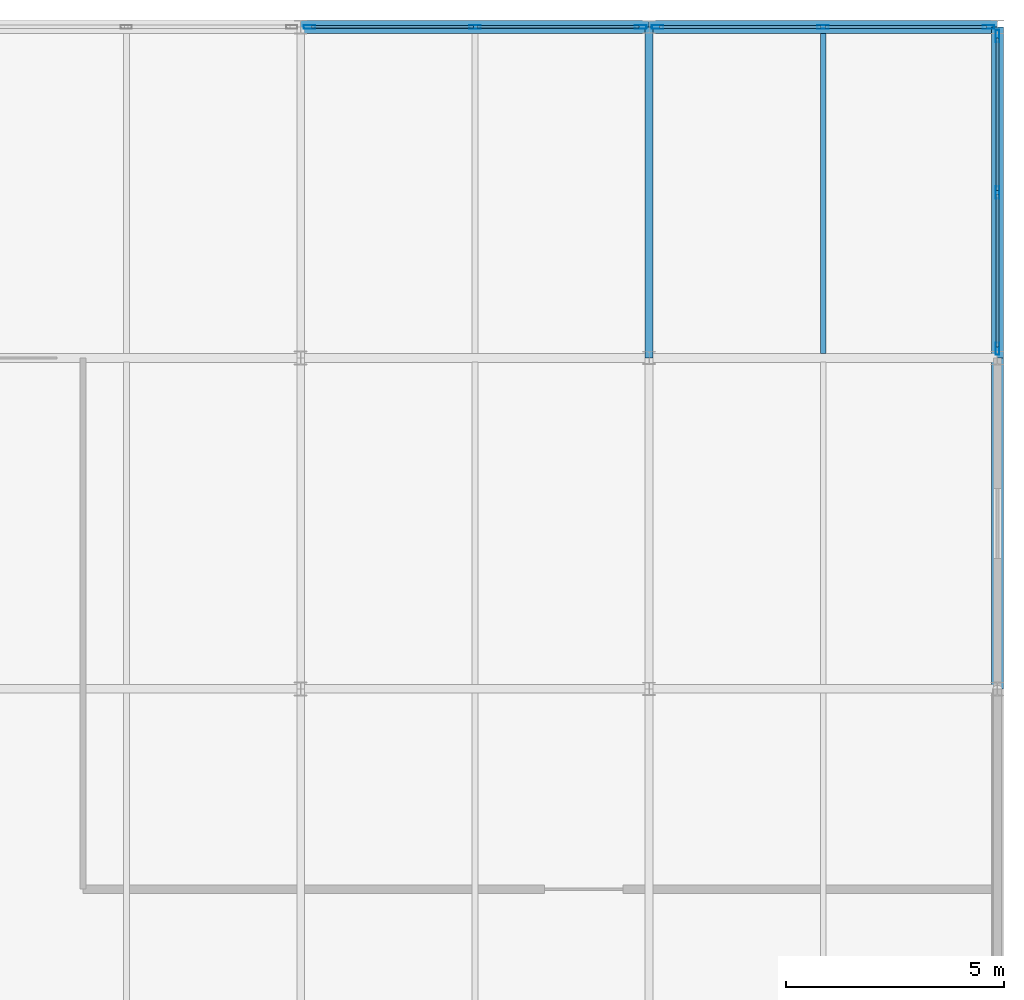
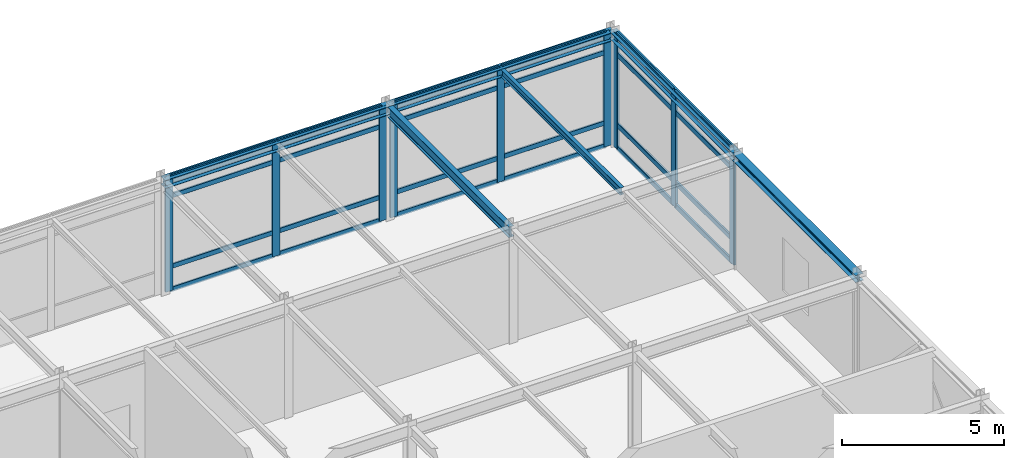
# One storey, part 7 of 12: 33 members, 6 beams, 3 elements without a shape of their own.
"""IFC4 building model written with IfcOpenShell, lengths in metres."""

from ifc_helpers import new_model, si_unit, direction, frame, origin, origin_2d, place, context, subcontext, project, spatial, hollow_rectangle, i_section, extrude, material, layer, layer_set, material_profile, profile_set, type_object, element, aggregate, save


model = new_model("IFC4")

# Units and contexts
model_context = context("Model", 3, precision=1e-05, world=origin(), true_north=direction((0.0, 1.0)))
body_context = subcontext(model_context, "Body", "Model", "MODEL_VIEW")
ifc_project = project(units=[si_unit("LENGTHUNIT", "METRE"), si_unit("AREAUNIT", "SQUARE_METRE"), si_unit("VOLUMEUNIT", "CUBIC_METRE"), si_unit("PLANEANGLEUNIT", "RADIAN"), si_unit("MASSUNIT", "GRAM", prefix="KILO")], contexts=[model_context])

# Site, building, storey
site_placement = place(None, origin())
site = spatial("IfcSite", under=ifc_project, at=site_placement, CompositionType="ELEMENT")
building_placement = place(site_placement, origin())
building = spatial("IfcBuilding", under=site, at=building_placement, Name="Shalkamar Park Central Library", CompositionType="ELEMENT")
storey_placement = place(building_placement, frame((0.0, 0.0, 67.800048828125)))
storey = spatial("IfcBuildingStorey", under=building, at=storey_placement, Name="L17", CompositionType="ELEMENT", Elevation=67.800048828125)

# Beam
ifc_material_1 = material(Name="Steel S355", Category="steel")
ifc_material_profile_1 = material_profile(ifc_material_1, i_section(OverallWidth=0.135009765625, OverallDepth=0.27001953125, WebThickness=0.006591796875, FlangeThickness=0.01025390625, FilletRadius=0.014892578125, at=origin_2d()), Name="IPE 270")
ifc_profile_set_1 = profile_set([ifc_material_profile_1], Name="Steel S355")
beam_type_1 = type_object("IfcBeamType", Name="Composite Floor Joist IPE270", PredefinedType="JOIST", material=ifc_profile_set_1)
beam_1_placement = place(storey_placement, frame((209.0, 270.498046875, 4.1650390625), z_axis=(0.0, 1.0, 0.0), x_axis=(-1.0, 0.0, 0.0)))
element("IfcBeam", 1, at=beam_1_placement, inside=storey, type_object=beam_type_1, Name="Composite Joist 12/E-1 (L17)", PredefinedType="JOIST", context=body_context, shape_type="SweptSolid", body=[
    extrude(i_section(OverallWidth=0.135009765625, OverallDepth=0.27001953125, WebThickness=0.006591796875, FlangeThickness=0.01025390625, FilletRadius=0.014892578125, at=origin_2d()), origin(), (0.0, 0.0, 1.0), 7.35400390625),
])

# Curtain wall, members
ifc_material_2 = material(Name="Thermally broken aluminium and triple low-e curtain wall", Category="aluminium")
ifc_layer_1 = layer(ifc_material_2, 0.27001953125)
ifc_layer_set_1 = layer_set([ifc_layer_1], Name="UnitisedCurtainWall_108")
curtain_wall_type_1 = type_object("IfcCurtainWallType", Name="Unitised Curtain Wall 108", PredefinedType="USERDEFINED", material=ifc_layer_set_1)
curtain_wall_1_placement = place(storey_placement, origin())
curtain_wall_1 = element("IfcCurtainWall", 2, at=curtain_wall_1_placement, inside=storey, type_object=curtain_wall_type_1, Name="Unitised Curtain Wall CW-L17-164", ObjectType="UNITISED CURTAIN WALL", PredefinedType="USERDEFINED")
ifc_material_3 = material(Name="Aluminium 6060-T66", Category="aluminium")
ifc_material_profile_2 = material_profile(ifc_material_3, hollow_rectangle(XDim=0.080078125, YDim=0.27001953125, WallThickness=0.0048828125, InnerFilletRadius=0.0048828125, OuterFilletRadius=0.007568359375, at=origin_2d()), Name="ALU 80x270x5")
ifc_profile_set_2 = profile_set([ifc_material_profile_2], Name="Aluminium 6060-T66")
member_type_1 = type_object("IfcMemberType", Name="Curtain Wall Mullion ALU80x270", PredefinedType="MULLION", material=ifc_profile_set_2)
member_1_placement = place(storey_placement, frame((197.2041015625, 278.0, 0.0), z_axis=(0.0, 0.0, 1.0), x_axis=(0.0, 1.0, 0.0)))
member_1 = element("IfcMember", 3, at=member_1_placement, type_object=member_type_1, Name="CW-108 mullion 1", PredefinedType="MULLION", context=body_context, shape_type="SweptSolid", body=[
    extrude(hollow_rectangle(XDim=0.080078125, YDim=0.27001953125, WallThickness=0.0048828125, InnerFilletRadius=0.0048828125, OuterFilletRadius=0.007568359375, at=origin_2d()), origin(), (0.0, 0.0, 1.0), 4.300048828125),
])
member_2_placement = place(storey_placement, frame((201.0048828125, 278.0, 0.0), z_axis=(0.0, 0.0, 1.0), x_axis=(0.0, 1.0, 0.0)))
member_2 = element("IfcMember", 4, at=member_2_placement, type_object=member_type_1, Name="CW-108 mullion 2", PredefinedType="MULLION", context=body_context, shape_type="SweptSolid", body=[
    extrude(hollow_rectangle(XDim=0.080078125, YDim=0.27001953125, WallThickness=0.0048828125, InnerFilletRadius=0.0048828125, OuterFilletRadius=0.007568359375, at=origin_2d()), origin(), (0.0, 0.0, 1.0), 4.300048828125),
])
member_3_placement = place(storey_placement, frame((204.805908203125, 278.0, 0.0), z_axis=(0.0, 0.0, 1.0), x_axis=(0.0, 1.0, 0.0)))
member_3 = element("IfcMember", 5, at=member_3_placement, type_object=member_type_1, Name="CW-108 mullion 3", PredefinedType="MULLION", context=body_context, shape_type="SweptSolid", body=[
    extrude(hollow_rectangle(XDim=0.080078125, YDim=0.27001953125, WallThickness=0.0048828125, InnerFilletRadius=0.0048828125, OuterFilletRadius=0.007568359375, at=origin_2d()), origin(), (0.0, 0.0, 1.0), 4.300048828125),
])

ifc_layer_2 = layer(ifc_material_2, 0.264892578125)
ifc_layer_set_2 = layer_set([ifc_layer_2], Name="UnitisedCurtainWall_109")
curtain_wall_type_2 = type_object("IfcCurtainWallType", Name="Unitised Curtain Wall 109", PredefinedType="USERDEFINED", material=ifc_layer_set_2)
curtain_wall_2_placement = place(storey_placement, origin())
curtain_wall_2 = element("IfcCurtainWall", 6, at=curtain_wall_2_placement, inside=storey, type_object=curtain_wall_type_2, Name="Unitised Curtain Wall CW-L17-165", ObjectType="UNITISED CURTAIN WALL", PredefinedType="USERDEFINED")
ifc_material_profile_3 = material_profile(ifc_material_3, hollow_rectangle(XDim=0.0849609375, YDim=0.264892578125, WallThickness=0.0048828125, InnerFilletRadius=0.0048828125, OuterFilletRadius=0.007568359375, at=origin_2d()), Name="ALU 85x265x5")
ifc_profile_set_3 = profile_set([ifc_material_profile_3], Name="Aluminium 6060-T66")
member_type_2 = type_object("IfcMemberType", Name="Curtain Wall Mullion ALU85x265", PredefinedType="MULLION", material=ifc_profile_set_3)
member_4_placement = place(storey_placement, frame((205.196533203125, 278.0, 0.0), z_axis=(0.0, 0.0, 1.0), x_axis=(0.0, 1.0, 0.0)))
member_4 = element("IfcMember", 7, at=member_4_placement, type_object=member_type_2, Name="CW-109 mullion 1", PredefinedType="MULLION", context=body_context, shape_type="SweptSolid", body=[
    extrude(hollow_rectangle(XDim=0.0849609375, YDim=0.264892578125, WallThickness=0.0048828125, InnerFilletRadius=0.0048828125, OuterFilletRadius=0.007568359375, at=origin_2d()), origin(), (0.0, 0.0, 1.0), 4.300048828125),
])
member_5_placement = place(storey_placement, frame((208.9951171875, 278.0, 0.0), z_axis=(0.0, 0.0, 1.0), x_axis=(0.0, 1.0, 0.0)))
member_5 = element("IfcMember", 8, at=member_5_placement, type_object=member_type_2, Name="CW-109 mullion 2", PredefinedType="MULLION", context=body_context, shape_type="SweptSolid", body=[
    extrude(hollow_rectangle(XDim=0.0849609375, YDim=0.264892578125, WallThickness=0.0048828125, InnerFilletRadius=0.0048828125, OuterFilletRadius=0.007568359375, at=origin_2d()), origin(), (0.0, 0.0, 1.0), 4.300048828125),
])
member_6_placement = place(storey_placement, frame((212.79345703125, 278.0, 0.0), z_axis=(0.0, 0.0, 1.0), x_axis=(0.0, 1.0, 0.0)))
member_6 = element("IfcMember", 9, at=member_6_placement, type_object=member_type_2, Name="CW-109 mullion 3", PredefinedType="MULLION", context=body_context, shape_type="SweptSolid", body=[
    extrude(hollow_rectangle(XDim=0.0849609375, YDim=0.264892578125, WallThickness=0.0048828125, InnerFilletRadius=0.0048828125, OuterFilletRadius=0.007568359375, at=origin_2d()), origin(), (0.0, 0.0, 1.0), 4.300048828125),
])

ifc_layer_3 = layer(ifc_material_2, 0.280029296875)
ifc_layer_set_3 = layer_set([ifc_layer_3], Name="UnitisedCurtainWall_110")
curtain_wall_type_3 = type_object("IfcCurtainWallType", Name="Unitised Curtain Wall 110", PredefinedType="USERDEFINED", material=ifc_layer_set_3)
curtain_wall_3_placement = place(storey_placement, origin())
curtain_wall_3 = element("IfcCurtainWall", 10, at=curtain_wall_3_placement, inside=storey, type_object=curtain_wall_type_3, Name="Unitised Curtain Wall CW-L17-167", ObjectType="UNITISED CURTAIN WALL", PredefinedType="USERDEFINED")
ifc_material_profile_4 = material_profile(ifc_material_3, hollow_rectangle(XDim=0.090087890625, YDim=0.280029296875, WallThickness=0.0048828125, InnerFilletRadius=0.0048828125, OuterFilletRadius=0.007568359375, at=origin_2d()), Name="ALU 90x280x5")
ifc_profile_set_4 = profile_set([ifc_material_profile_4], Name="Aluminium 6060-T66")
member_type_3 = type_object("IfcMemberType", Name="Curtain Wall Mullion ALU90x280", PredefinedType="MULLION", material=ifc_profile_set_4)
member_7_placement = place(storey_placement, frame((213.0, 270.60888671875, 0.0), z_axis=(0.0, 0.0, 1.0), x_axis=(-1.0, 0.0, 0.0)))
member_7 = element("IfcMember", 11, at=member_7_placement, type_object=member_type_3, Name="CW-110 mullion 1", PredefinedType="MULLION", context=body_context, shape_type="SweptSolid", body=[
    extrude(hollow_rectangle(XDim=0.090087890625, YDim=0.280029296875, WallThickness=0.0048828125, InnerFilletRadius=0.0048828125, OuterFilletRadius=0.007568359375, at=origin_2d()), origin(), (0.0, 0.0, 1.0), 4.300048828125),
])
member_8_placement = place(storey_placement, frame((213.0, 274.199951171875, 0.0), z_axis=(0.0, 0.0, 1.0), x_axis=(-1.0, 0.0, 0.0)))
member_8 = element("IfcMember", 12, at=member_8_placement, type_object=member_type_3, Name="CW-110 mullion 2", PredefinedType="MULLION", context=body_context, shape_type="SweptSolid", body=[
    extrude(hollow_rectangle(XDim=0.090087890625, YDim=0.280029296875, WallThickness=0.0048828125, InnerFilletRadius=0.0048828125, OuterFilletRadius=0.007568359375, at=origin_2d()), origin(), (0.0, 0.0, 1.0), 4.300048828125),
])
member_9_placement = place(storey_placement, frame((213.0, 277.791015625, 0.0), z_axis=(0.0, 0.0, 1.0), x_axis=(-1.0, 0.0, 0.0)))
member_9 = element("IfcMember", 13, at=member_9_placement, type_object=member_type_3, Name="CW-110 mullion 3", PredefinedType="MULLION", context=body_context, shape_type="SweptSolid", body=[
    extrude(hollow_rectangle(XDim=0.090087890625, YDim=0.280029296875, WallThickness=0.0048828125, InnerFilletRadius=0.0048828125, OuterFilletRadius=0.007568359375, at=origin_2d()), origin(), (0.0, 0.0, 1.0), 4.300048828125),
])

# Member
ifc_material_profile_5 = material_profile(ifc_material_3, hollow_rectangle(XDim=0.06494140625, YDim=0.175048828125, WallThickness=0.00439453125, InnerFilletRadius=0.00439453125, OuterFilletRadius=0.0068359375, at=origin_2d()), Name="ALU 65x175x4.5")
ifc_profile_set_5 = profile_set([ifc_material_profile_5], Name="Aluminium 6060-T66")
member_type_4 = type_object("IfcMemberType", Name="Curtain Wall Transom ALU65x175", PredefinedType="USERDEFINED", material=ifc_profile_set_5)
member_10_placement = place(storey_placement, frame((197.243896484375, 278.0, 0.032470703125), z_axis=(1.0, 0.0, 0.0), x_axis=(0.0, 1.0, 0.0)))
member_10 = element("IfcMember", 14, at=member_10_placement, type_object=member_type_4, Name="CW-108 transom 1.1", ObjectType="TRANSOM", PredefinedType="USERDEFINED", context=body_context, shape_type="SweptSolid", body=[
    extrude(hollow_rectangle(XDim=0.06494140625, YDim=0.175048828125, WallThickness=0.00439453125, InnerFilletRadius=0.00439453125, OuterFilletRadius=0.0068359375, at=origin_2d()), origin(), (0.0, 0.0, 1.0), 3.72119140625),
])

member_11_placement = place(storey_placement, frame((197.243896484375, 278.0, 0.89990234375), z_axis=(1.0, 0.0, 0.0), x_axis=(0.0, 1.0, 0.0)))
member_11 = element("IfcMember", 15, at=member_11_placement, type_object=member_type_4, Name="CW-108 transom 1.2", ObjectType="TRANSOM", PredefinedType="USERDEFINED", context=body_context, shape_type="SweptSolid", body=[
    extrude(hollow_rectangle(XDim=0.06494140625, YDim=0.175048828125, WallThickness=0.00439453125, InnerFilletRadius=0.00439453125, OuterFilletRadius=0.0068359375, at=origin_2d()), origin(), (0.0, 0.0, 1.0), 3.72119140625),
])

member_12_placement = place(storey_placement, frame((197.243896484375, 278.0, 3.550048828125), z_axis=(1.0, 0.0, 0.0), x_axis=(0.0, 1.0, 0.0)))
member_12 = element("IfcMember", 16, at=member_12_placement, type_object=member_type_4, Name="CW-108 transom 1.3", ObjectType="TRANSOM", PredefinedType="USERDEFINED", context=body_context, shape_type="SweptSolid", body=[
    extrude(hollow_rectangle(XDim=0.06494140625, YDim=0.175048828125, WallThickness=0.00439453125, InnerFilletRadius=0.00439453125, OuterFilletRadius=0.0068359375, at=origin_2d()), origin(), (0.0, 0.0, 1.0), 3.72119140625),
])

member_13_placement = place(storey_placement, frame((197.243896484375, 278.0, 4.267333984375), z_axis=(1.0, 0.0, 0.0), x_axis=(0.0, 1.0, 0.0)))
member_13 = element("IfcMember", 17, at=member_13_placement, type_object=member_type_4, Name="CW-108 transom 1.4", ObjectType="TRANSOM", PredefinedType="USERDEFINED", context=body_context, shape_type="SweptSolid", body=[
    extrude(hollow_rectangle(XDim=0.06494140625, YDim=0.175048828125, WallThickness=0.00439453125, InnerFilletRadius=0.00439453125, OuterFilletRadius=0.0068359375, at=origin_2d()), origin(), (0.0, 0.0, 1.0), 3.72119140625),
])

member_14_placement = place(storey_placement, frame((201.044921875, 278.0, 0.032470703125), z_axis=(1.0, 0.0, 0.0), x_axis=(0.0, 1.0, 0.0)))
member_14 = element("IfcMember", 18, at=member_14_placement, type_object=member_type_4, Name="CW-108 transom 2.1", ObjectType="TRANSOM", PredefinedType="USERDEFINED", context=body_context, shape_type="SweptSolid", body=[
    extrude(hollow_rectangle(XDim=0.06494140625, YDim=0.175048828125, WallThickness=0.00439453125, InnerFilletRadius=0.00439453125, OuterFilletRadius=0.0068359375, at=origin_2d()), origin(), (0.0, 0.0, 1.0), 3.72119140625),
])

member_15_placement = place(storey_placement, frame((201.044921875, 278.0, 0.89990234375), z_axis=(1.0, 0.0, 0.0), x_axis=(0.0, 1.0, 0.0)))
member_15 = element("IfcMember", 19, at=member_15_placement, type_object=member_type_4, Name="CW-108 transom 2.2", ObjectType="TRANSOM", PredefinedType="USERDEFINED", context=body_context, shape_type="SweptSolid", body=[
    extrude(hollow_rectangle(XDim=0.06494140625, YDim=0.175048828125, WallThickness=0.00439453125, InnerFilletRadius=0.00439453125, OuterFilletRadius=0.0068359375, at=origin_2d()), origin(), (0.0, 0.0, 1.0), 3.72119140625),
])

member_16_placement = place(storey_placement, frame((201.044921875, 278.0, 3.550048828125), z_axis=(1.0, 0.0, 0.0), x_axis=(0.0, 1.0, 0.0)))
member_16 = element("IfcMember", 20, at=member_16_placement, type_object=member_type_4, Name="CW-108 transom 2.3", ObjectType="TRANSOM", PredefinedType="USERDEFINED", context=body_context, shape_type="SweptSolid", body=[
    extrude(hollow_rectangle(XDim=0.06494140625, YDim=0.175048828125, WallThickness=0.00439453125, InnerFilletRadius=0.00439453125, OuterFilletRadius=0.0068359375, at=origin_2d()), origin(), (0.0, 0.0, 1.0), 3.72119140625),
])

member_17_placement = place(storey_placement, frame((201.044921875, 278.0, 4.267333984375), z_axis=(1.0, 0.0, 0.0), x_axis=(0.0, 1.0, 0.0)))
member_17 = element("IfcMember", 21, at=member_17_placement, type_object=member_type_4, Name="CW-108 transom 2.4", ObjectType="TRANSOM", PredefinedType="USERDEFINED", context=body_context, shape_type="SweptSolid", body=[
    extrude(hollow_rectangle(XDim=0.06494140625, YDim=0.175048828125, WallThickness=0.00439453125, InnerFilletRadius=0.00439453125, OuterFilletRadius=0.0068359375, at=origin_2d()), origin(), (0.0, 0.0, 1.0), 3.72119140625),
])

aggregate(curtain_wall_1, [member_1, member_2, member_3, member_10, member_11, member_12, member_13, member_14, member_15, member_16, member_17])

ifc_material_profile_6 = material_profile(ifc_material_3, hollow_rectangle(XDim=0.070068359375, YDim=0.179931640625, WallThickness=0.00439453125, InnerFilletRadius=0.00439453125, OuterFilletRadius=0.0068359375, at=origin_2d()), Name="ALU 70x180x4.5")
ifc_profile_set_6 = profile_set([ifc_material_profile_6], Name="Aluminium 6060-T66")
member_type_5 = type_object("IfcMemberType", Name="Curtain Wall Transom ALU70x180", PredefinedType="USERDEFINED", material=ifc_profile_set_6)
member_18_placement = place(storey_placement, frame((205.239013671875, 278.0, 0.034912109375), z_axis=(1.0, 0.0, 0.0), x_axis=(0.0, 1.0, 0.0)))
member_18 = element("IfcMember", 22, at=member_18_placement, type_object=member_type_5, Name="CW-109 transom 1.1", ObjectType="TRANSOM", PredefinedType="USERDEFINED", context=body_context, shape_type="SweptSolid", body=[
    extrude(hollow_rectangle(XDim=0.070068359375, YDim=0.179931640625, WallThickness=0.00439453125, InnerFilletRadius=0.00439453125, OuterFilletRadius=0.0068359375, at=origin_2d()), origin(), (0.0, 0.0, 1.0), 3.71337890625),
])

member_19_placement = place(storey_placement, frame((205.239013671875, 278.0, 0.89990234375), z_axis=(1.0, 0.0, 0.0), x_axis=(0.0, 1.0, 0.0)))
member_19 = element("IfcMember", 23, at=member_19_placement, type_object=member_type_5, Name="CW-109 transom 1.2", ObjectType="TRANSOM", PredefinedType="USERDEFINED", context=body_context, shape_type="SweptSolid", body=[
    extrude(hollow_rectangle(XDim=0.070068359375, YDim=0.179931640625, WallThickness=0.00439453125, InnerFilletRadius=0.00439453125, OuterFilletRadius=0.0068359375, at=origin_2d()), origin(), (0.0, 0.0, 1.0), 3.71337890625),
])

member_20_placement = place(storey_placement, frame((205.239013671875, 278.0, 3.550048828125), z_axis=(1.0, 0.0, 0.0), x_axis=(0.0, 1.0, 0.0)))
member_20 = element("IfcMember", 24, at=member_20_placement, type_object=member_type_5, Name="CW-109 transom 1.3", ObjectType="TRANSOM", PredefinedType="USERDEFINED", context=body_context, shape_type="SweptSolid", body=[
    extrude(hollow_rectangle(XDim=0.070068359375, YDim=0.179931640625, WallThickness=0.00439453125, InnerFilletRadius=0.00439453125, OuterFilletRadius=0.0068359375, at=origin_2d()), origin(), (0.0, 0.0, 1.0), 3.71337890625),
])

member_21_placement = place(storey_placement, frame((205.239013671875, 278.0, 4.264892578125), z_axis=(1.0, 0.0, 0.0), x_axis=(0.0, 1.0, 0.0)))
member_21 = element("IfcMember", 25, at=member_21_placement, type_object=member_type_5, Name="CW-109 transom 1.4", ObjectType="TRANSOM", PredefinedType="USERDEFINED", context=body_context, shape_type="SweptSolid", body=[
    extrude(hollow_rectangle(XDim=0.070068359375, YDim=0.179931640625, WallThickness=0.00439453125, InnerFilletRadius=0.00439453125, OuterFilletRadius=0.0068359375, at=origin_2d()), origin(), (0.0, 0.0, 1.0), 3.71337890625),
])

member_22_placement = place(storey_placement, frame((209.03759765625, 278.0, 0.034912109375), z_axis=(1.0, 0.0, 0.0), x_axis=(0.0, 1.0, 0.0)))
member_22 = element("IfcMember", 26, at=member_22_placement, type_object=member_type_5, Name="CW-109 transom 2.1", ObjectType="TRANSOM", PredefinedType="USERDEFINED", context=body_context, shape_type="SweptSolid", body=[
    extrude(hollow_rectangle(XDim=0.070068359375, YDim=0.179931640625, WallThickness=0.00439453125, InnerFilletRadius=0.00439453125, OuterFilletRadius=0.0068359375, at=origin_2d()), origin(), (0.0, 0.0, 1.0), 3.71337890625),
])

member_23_placement = place(storey_placement, frame((209.03759765625, 278.0, 0.89990234375), z_axis=(1.0, 0.0, 0.0), x_axis=(0.0, 1.0, 0.0)))
member_23 = element("IfcMember", 27, at=member_23_placement, type_object=member_type_5, Name="CW-109 transom 2.2", ObjectType="TRANSOM", PredefinedType="USERDEFINED", context=body_context, shape_type="SweptSolid", body=[
    extrude(hollow_rectangle(XDim=0.070068359375, YDim=0.179931640625, WallThickness=0.00439453125, InnerFilletRadius=0.00439453125, OuterFilletRadius=0.0068359375, at=origin_2d()), origin(), (0.0, 0.0, 1.0), 3.71337890625),
])

member_24_placement = place(storey_placement, frame((209.03759765625, 278.0, 3.550048828125), z_axis=(1.0, 0.0, 0.0), x_axis=(0.0, 1.0, 0.0)))
member_24 = element("IfcMember", 28, at=member_24_placement, type_object=member_type_5, Name="CW-109 transom 2.3", ObjectType="TRANSOM", PredefinedType="USERDEFINED", context=body_context, shape_type="SweptSolid", body=[
    extrude(hollow_rectangle(XDim=0.070068359375, YDim=0.179931640625, WallThickness=0.00439453125, InnerFilletRadius=0.00439453125, OuterFilletRadius=0.0068359375, at=origin_2d()), origin(), (0.0, 0.0, 1.0), 3.71337890625),
])

member_25_placement = place(storey_placement, frame((209.03759765625, 278.0, 4.264892578125), z_axis=(1.0, 0.0, 0.0), x_axis=(0.0, 1.0, 0.0)))
member_25 = element("IfcMember", 29, at=member_25_placement, type_object=member_type_5, Name="CW-109 transom 2.4", ObjectType="TRANSOM", PredefinedType="USERDEFINED", context=body_context, shape_type="SweptSolid", body=[
    extrude(hollow_rectangle(XDim=0.070068359375, YDim=0.179931640625, WallThickness=0.00439453125, InnerFilletRadius=0.00439453125, OuterFilletRadius=0.0068359375, at=origin_2d()), origin(), (0.0, 0.0, 1.0), 3.71337890625),
])

aggregate(curtain_wall_2, [member_4, member_5, member_6, member_18, member_19, member_20, member_21, member_22, member_23, member_24, member_25])

ifc_material_profile_7 = material_profile(ifc_material_3, hollow_rectangle(XDim=0.070068359375, YDim=0.18994140625, WallThickness=0.0048828125, InnerFilletRadius=0.0048828125, OuterFilletRadius=0.007568359375, at=origin_2d()), Name="ALU 70x190x5")
ifc_profile_set_7 = profile_set([ifc_material_profile_7], Name="Aluminium 6060-T66")
member_type_6 = type_object("IfcMemberType", Name="Curtain Wall Transom ALU70x190", PredefinedType="USERDEFINED", material=ifc_profile_set_7)
member_26_placement = place(storey_placement, frame((213.0, 270.654052734375, 0.034912109375), z_axis=(0.0, 1.0, 0.0), x_axis=(-1.0, 0.0, 0.0)))
member_26 = element("IfcMember", 30, at=member_26_placement, type_object=member_type_6, Name="CW-110 transom 1.1", ObjectType="TRANSOM", PredefinedType="USERDEFINED", context=body_context, shape_type="SweptSolid", body=[
    extrude(hollow_rectangle(XDim=0.070068359375, YDim=0.18994140625, WallThickness=0.0048828125, InnerFilletRadius=0.0048828125, OuterFilletRadius=0.007568359375, at=origin_2d()), origin(), (0.0, 0.0, 1.0), 3.5009765625),
])

member_27_placement = place(storey_placement, frame((213.0, 270.654052734375, 0.89990234375), z_axis=(0.0, 1.0, 0.0), x_axis=(-1.0, 0.0, 0.0)))
member_27 = element("IfcMember", 31, at=member_27_placement, type_object=member_type_6, Name="CW-110 transom 1.2", ObjectType="TRANSOM", PredefinedType="USERDEFINED", context=body_context, shape_type="SweptSolid", body=[
    extrude(hollow_rectangle(XDim=0.070068359375, YDim=0.18994140625, WallThickness=0.0048828125, InnerFilletRadius=0.0048828125, OuterFilletRadius=0.007568359375, at=origin_2d()), origin(), (0.0, 0.0, 1.0), 3.5009765625),
])

member_28_placement = place(storey_placement, frame((213.0, 270.654052734375, 3.550048828125), z_axis=(0.0, 1.0, 0.0), x_axis=(-1.0, 0.0, 0.0)))
member_28 = element("IfcMember", 32, at=member_28_placement, type_object=member_type_6, Name="CW-110 transom 1.3", ObjectType="TRANSOM", PredefinedType="USERDEFINED", context=body_context, shape_type="SweptSolid", body=[
    extrude(hollow_rectangle(XDim=0.070068359375, YDim=0.18994140625, WallThickness=0.0048828125, InnerFilletRadius=0.0048828125, OuterFilletRadius=0.007568359375, at=origin_2d()), origin(), (0.0, 0.0, 1.0), 3.5009765625),
])

member_29_placement = place(storey_placement, frame((213.0, 270.654052734375, 4.264892578125), z_axis=(0.0, 1.0, 0.0), x_axis=(-1.0, 0.0, 0.0)))
member_29 = element("IfcMember", 33, at=member_29_placement, type_object=member_type_6, Name="CW-110 transom 1.4", ObjectType="TRANSOM", PredefinedType="USERDEFINED", context=body_context, shape_type="SweptSolid", body=[
    extrude(hollow_rectangle(XDim=0.070068359375, YDim=0.18994140625, WallThickness=0.0048828125, InnerFilletRadius=0.0048828125, OuterFilletRadius=0.007568359375, at=origin_2d()), origin(), (0.0, 0.0, 1.0), 3.5009765625),
])

member_30_placement = place(storey_placement, frame((213.0, 274.2451171875, 0.034912109375), z_axis=(0.0, 1.0, 0.0), x_axis=(-1.0, 0.0, 0.0)))
member_30 = element("IfcMember", 34, at=member_30_placement, type_object=member_type_6, Name="CW-110 transom 2.1", ObjectType="TRANSOM", PredefinedType="USERDEFINED", context=body_context, shape_type="SweptSolid", body=[
    extrude(hollow_rectangle(XDim=0.070068359375, YDim=0.18994140625, WallThickness=0.0048828125, InnerFilletRadius=0.0048828125, OuterFilletRadius=0.007568359375, at=origin_2d()), origin(), (0.0, 0.0, 1.0), 3.5009765625),
])

member_31_placement = place(storey_placement, frame((213.0, 274.2451171875, 0.89990234375), z_axis=(0.0, 1.0, 0.0), x_axis=(-1.0, 0.0, 0.0)))
member_31 = element("IfcMember", 35, at=member_31_placement, type_object=member_type_6, Name="CW-110 transom 2.2", ObjectType="TRANSOM", PredefinedType="USERDEFINED", context=body_context, shape_type="SweptSolid", body=[
    extrude(hollow_rectangle(XDim=0.070068359375, YDim=0.18994140625, WallThickness=0.0048828125, InnerFilletRadius=0.0048828125, OuterFilletRadius=0.007568359375, at=origin_2d()), origin(), (0.0, 0.0, 1.0), 3.5009765625),
])

member_32_placement = place(storey_placement, frame((213.0, 274.2451171875, 3.550048828125), z_axis=(0.0, 1.0, 0.0), x_axis=(-1.0, 0.0, 0.0)))
member_32 = element("IfcMember", 36, at=member_32_placement, type_object=member_type_6, Name="CW-110 transom 2.3", ObjectType="TRANSOM", PredefinedType="USERDEFINED", context=body_context, shape_type="SweptSolid", body=[
    extrude(hollow_rectangle(XDim=0.070068359375, YDim=0.18994140625, WallThickness=0.0048828125, InnerFilletRadius=0.0048828125, OuterFilletRadius=0.007568359375, at=origin_2d()), origin(), (0.0, 0.0, 1.0), 3.5009765625),
])

member_33_placement = place(storey_placement, frame((213.0, 274.2451171875, 4.264892578125), z_axis=(0.0, 1.0, 0.0), x_axis=(-1.0, 0.0, 0.0)))
member_33 = element("IfcMember", 37, at=member_33_placement, type_object=member_type_6, Name="CW-110 transom 2.4", ObjectType="TRANSOM", PredefinedType="USERDEFINED", context=body_context, shape_type="SweptSolid", body=[
    extrude(hollow_rectangle(XDim=0.070068359375, YDim=0.18994140625, WallThickness=0.0048828125, InnerFilletRadius=0.0048828125, OuterFilletRadius=0.007568359375, at=origin_2d()), origin(), (0.0, 0.0, 1.0), 3.5009765625),
])

aggregate(curtain_wall_3, [member_7, member_8, member_9, member_26, member_27, member_28, member_29, member_30, member_31, member_32, member_33])

# Beams
ifc_material_profile_8 = material_profile(ifc_material_1, i_section(OverallWidth=0.280029296875, OverallDepth=0.27001953125, WebThickness=0.008056640625, FlangeThickness=0.012939453125, FilletRadius=0.02392578125, at=origin_2d()), Name="HEA 280")
ifc_profile_set_8 = profile_set([ifc_material_profile_8], Name="Steel S355")
beam_type_2 = type_object("IfcBeamType", Name="Perimeter Spandrel Beam HEA280", PredefinedType="SPANDREL", material=ifc_profile_set_8)
beam_2_placement = place(storey_placement, frame((213.0, 262.800048828125, 4.1650390625), z_axis=(0.0, 1.0, 0.0), x_axis=(-1.0, 0.0, 0.0)))
element("IfcBeam", 38, at=beam_2_placement, inside=storey, type_object=beam_type_2, Name="Beam 13:D-E (L17)", PredefinedType="SPANDREL", context=body_context, shape_type="SweptSolid", body=[
    extrude(i_section(OverallWidth=0.280029296875, OverallDepth=0.27001953125, WebThickness=0.008056640625, FlangeThickness=0.012939453125, FilletRadius=0.02392578125, at=origin_2d()), origin(), (0.0, 0.0, 1.0), 7.599853515625),
])
beam_3_placement = place(storey_placement, frame((213.0, 270.39990234375, 4.1650390625), z_axis=(0.0, 1.0, 0.0), x_axis=(-1.0, 0.0, 0.0)))
element("IfcBeam", 39, at=beam_3_placement, inside=storey, type_object=beam_type_2, Name="Beam 13:E-F (L17)", PredefinedType="SPANDREL", context=body_context, shape_type="SweptSolid", body=[
    extrude(i_section(OverallWidth=0.280029296875, OverallDepth=0.27001953125, WebThickness=0.008056640625, FlangeThickness=0.012939453125, FilletRadius=0.02392578125, at=origin_2d()), origin(), (0.0, 0.0, 1.0), 7.60009765625),
])
ifc_material_profile_9 = material_profile(ifc_material_1, i_section(OverallWidth=0.300048828125, OverallDepth=0.31005859375, WebThickness=0.009033203125, FlangeThickness=0.015380859375, FilletRadius=0.027099609375, at=origin_2d()), Name="HEA 320")
ifc_profile_set_9 = profile_set([ifc_material_profile_9], Name="Steel S355")
beam_type_3 = type_object("IfcBeamType", Name="Perimeter Spandrel Beam HEA320", PredefinedType="SPANDREL", material=ifc_profile_set_9)
for number, where, z_axis, x_axis, name in (
    (40, (197.0, 278.0, 4.14501953125), (1.0, 0.0, 0.0), (0.0, 1.0, 0.0), "Beam F:11-12 (L17)"),
    (41, (205.0, 278.0, 4.14501953125), (1.0, 0.0, 0.0), (0.0, 1.0, 0.0), "Beam F:12-13 (L17)"),
):
    element("IfcBeam", number, at=place(storey_placement, frame(where, z_axis=z_axis, x_axis=x_axis)), inside=storey, type_object=beam_type_3, Name=name, PredefinedType="SPANDREL", context=body_context, shape_type="SweptSolid", body=[
        extrude(i_section(OverallWidth=0.300048828125, OverallDepth=0.31005859375, WebThickness=0.009033203125, FlangeThickness=0.015380859375, FilletRadius=0.027099609375, at=origin_2d()), origin(), (0.0, 0.0, 1.0), 8.0),
    ])
ifc_material_profile_10 = material_profile(ifc_material_1, i_section(OverallWidth=0.179931640625, OverallDepth=0.39990234375, WebThickness=0.008544921875, FlangeThickness=0.013427734375, FilletRadius=0.02099609375, at=origin_2d()), Name="IPE 400")
ifc_profile_set_10 = profile_set([ifc_material_profile_10], Name="Steel S355")
beam_type_4 = type_object("IfcBeamType", Name="Primary Girder IPE400", PredefinedType="BEAM", material=ifc_profile_set_10)
beam_4_placement = place(storey_placement, frame((205.0, 270.39990234375, 4.099853515625), z_axis=(0.0, 1.0, 0.0), x_axis=(-1.0, 0.0, 0.0)))
element("IfcBeam", 42, at=beam_4_placement, inside=storey, type_object=beam_type_4, Name="Beam 12:E-F (L17)", PredefinedType="BEAM", context=body_context, shape_type="SweptSolid", body=[
    extrude(i_section(OverallWidth=0.179931640625, OverallDepth=0.39990234375, WebThickness=0.008544921875, FlangeThickness=0.013427734375, FilletRadius=0.02099609375, at=origin_2d()), origin(), (0.0, 0.0, 1.0), 7.60009765625),
])

save(model, "model.ifc")
